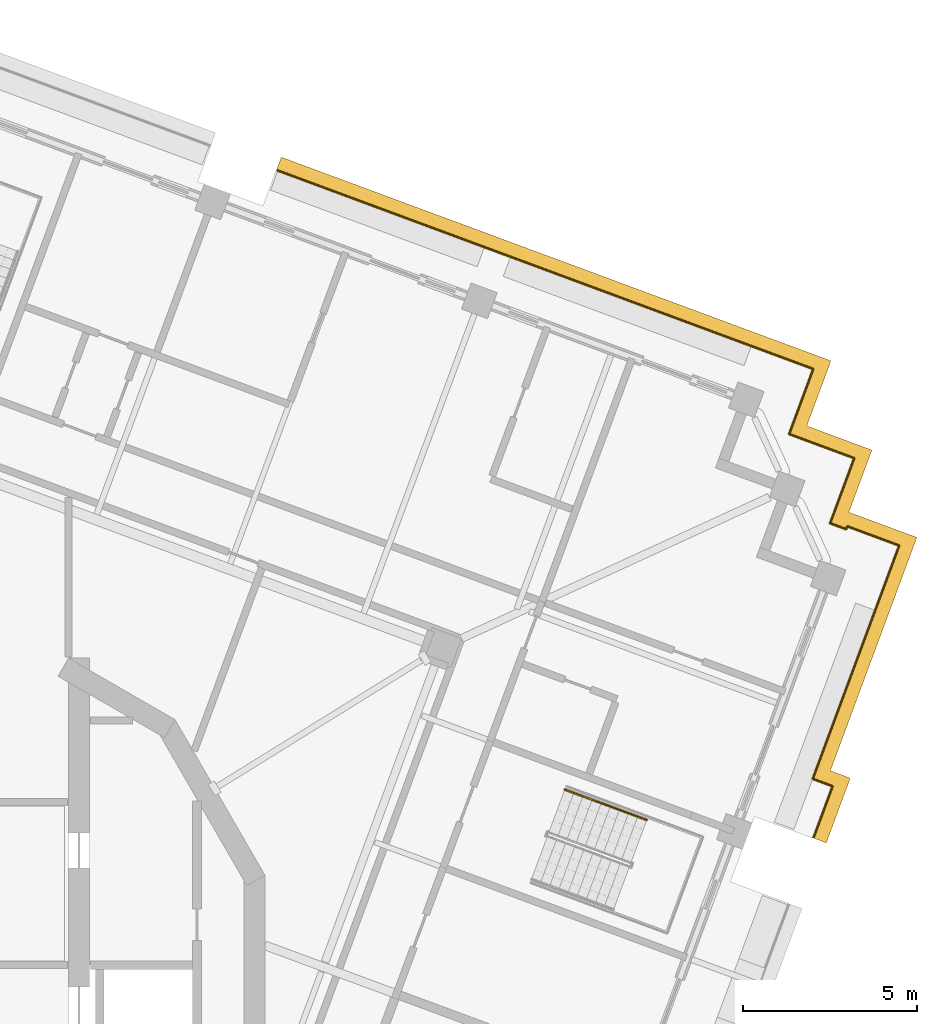
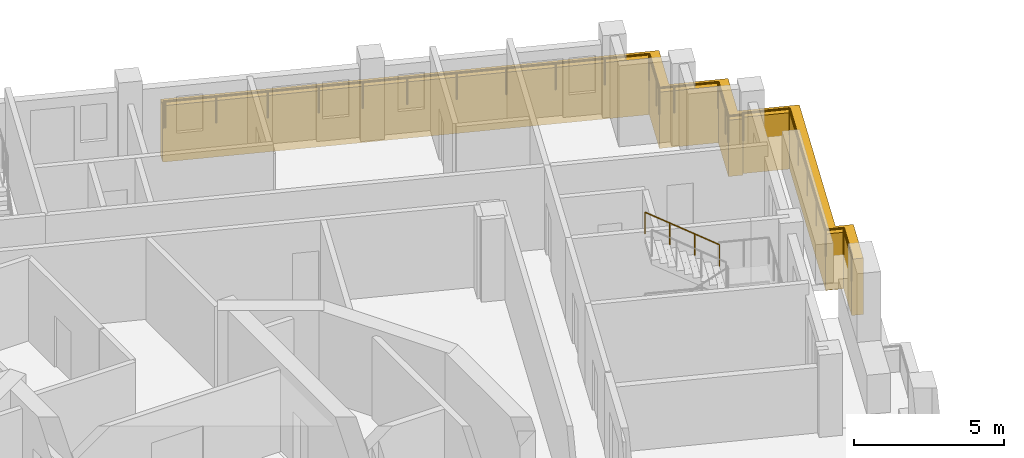
# One storey, part 18 of 19: 3 railings, 1 covering.
"""IFC4 building model written with IfcOpenShell, lengths in metres."""

from ifc_helpers import new_model, si_unit, direction, frame, origin, origin_2d, place, context, subcontext, project, spatial, polyline, circle, outline, extrude, material, type_object, element, save


model = new_model("IFC4")

# Units and contexts
model_context = context("Model", 3, precision=1e-05, world=origin(), true_north=direction((0.0, 1.0)))
body_context = subcontext(model_context, "Body", "Model", "MODEL_VIEW")
ifc_project = project(units=[si_unit("LENGTHUNIT", "METRE"), si_unit("AREAUNIT", "SQUARE_METRE"), si_unit("VOLUMEUNIT", "CUBIC_METRE"), si_unit("PLANEANGLEUNIT", "RADIAN"), si_unit("MASSUNIT", "GRAM", prefix="KILO")], contexts=[model_context])

# Site, building, storey
site_placement = place(None, origin())
site = spatial("IfcSite", under=ifc_project, at=site_placement, CompositionType="ELEMENT")
building_placement = place(site_placement, origin())
building = spatial("IfcBuilding", under=site, at=building_placement, Name="Cantera Rosa Tower", CompositionType="ELEMENT")
storey_placement = place(building_placement, frame((0.0, 0.0, 327.699951171875)))
storey = spatial("IfcBuildingStorey", under=building, at=storey_placement, Name="L73", CompositionType="ELEMENT", Elevation=327.699951171875)

# Railings
ifc_material_1 = material(Name="Stainless steel and laminated glass", Category="steel")
railing_type_1 = type_object("IfcRailingType", Name="GUARD 1100", PredefinedType="BALUSTRADE", material=ifc_material_1)
railing_1_placement = place(storey_placement, frame((26.113525390625, 13.198486328125, 0.0)))
element("IfcRailing", 1, at=railing_1_placement, inside=storey, type_object=railing_type_1, Name="GUARD L73-7", PredefinedType="BALUSTRADE", context=body_context, shape_type="SweptSolid", body=[
    extrude(circle(Radius=0.030029296875, at=origin_2d()), frame((0.0, 0.0, 1.070068359375), z_axis=(-0.347696042931, -0.937607306781, 0.0), x_axis=(0.937607306781, -0.347696042931, 0.0)), (0.0, 0.0, 1.0), 0.5),
    extrude(circle(Radius=0.030029296875, at=origin_2d()), frame((-0.173828125, -0.46875, 1.070068359375), z_axis=(0.937607306781, -0.347696042931, 0.0), x_axis=(0.347696042931, 0.937607306781, 0.0)), (0.0, 0.0, 1.0), 0.5),
    extrude(circle(Radius=0.030029296875, at=origin_2d()), frame((0.294921875, -0.642578125, 1.070068359375), z_axis=(0.348733712021, 0.937221851058, 0.0), x_axis=(-0.937221851058, 0.348733712021, 0.0)), (0.0, 0.0, 1.0), 0.089599609375),
    extrude(circle(Radius=0.030029296875, at=origin_2d()), frame((0.326171875, -0.55859375, 1.070068359375), z_axis=(0.937704286129, -0.347434413632, 0.0), x_axis=(0.347434413632, 0.937704286129, 0.0)), (0.0, 0.0, 1.0), 1.589599609375),
    extrude(circle(Radius=0.030029296875, at=origin_2d()), frame((1.816650390625, -1.11083984375, 1.070068359375), z_axis=(-0.347478495795, -0.937687951805, 0.0), x_axis=(0.937687951805, -0.347478495795, 0.0)), (0.0, 0.0, 1.0), 7.16943359375),
    extrude(circle(Radius=0.030029296875, at=origin_2d()), frame((-0.674560546875, -7.83349609375, 1.070068359375), z_axis=(0.937734294908, -0.347353411029, 0.0), x_axis=(0.347353411029, 0.937734294908, 0.0)), (0.0, 0.0, 1.0), 0.61083984375),
    extrude(circle(Radius=0.030029296875, at=origin_2d()), frame((-0.101806640625, -8.045654296875, 1.070068359375), z_axis=(-0.347491582396, -0.937683102207, 0.0), x_axis=(0.937683102207, -0.347491582396, 0.0)), (0.0, 0.0, 1.0), 1.5703125),
    extrude(circle(Radius=0.02490234375, at=origin_2d()), origin(), (0.0, 0.0, 1.0), 1.0400390625),
    extrude(circle(Radius=0.02490234375, at=origin_2d()), frame((-0.173828125, -0.46875, 0.0)), (0.0, 0.0, 1.0), 1.0400390625),
    extrude(circle(Radius=0.02490234375, at=origin_2d()), frame((0.294921875, -0.642578125, 0.0)), (0.0, 0.0, 1.0), 1.0400390625),
    extrude(circle(Radius=0.02490234375, at=origin_2d()), frame((0.326171875, -0.55859375, 0.0)), (0.0, 0.0, 1.0), 1.0400390625),
    extrude(circle(Radius=0.02490234375, at=origin_2d()), frame((1.816650390625, -1.11083984375, 0.0)), (0.0, 0.0, 1.0), 1.0400390625),
    extrude(circle(Radius=0.02490234375, at=origin_2d()), frame((1.19384765625, -2.79150390625, 0.0)), (0.0, 0.0, 1.0), 1.0400390625),
    extrude(circle(Radius=0.02490234375, at=origin_2d()), frame((0.571044921875, -4.47216796875, 0.0)), (0.0, 0.0, 1.0), 1.0400390625),
    extrude(circle(Radius=0.02490234375, at=origin_2d()), frame((-0.0517578125, -6.15283203125, 0.0)), (0.0, 0.0, 1.0), 1.0400390625),
    extrude(circle(Radius=0.02490234375, at=origin_2d()), frame((-0.674560546875, -7.83349609375, 0.0)), (0.0, 0.0, 1.0), 1.0400390625),
    extrude(circle(Radius=0.02490234375, at=origin_2d()), frame((-0.101806640625, -8.045654296875, 0.0)), (0.0, 0.0, 1.0), 1.0400390625),
    extrude(circle(Radius=0.02490234375, at=origin_2d()), frame((-0.6474609375, -9.51806640625, 0.0)), (0.0, 0.0, 1.0), 1.0400390625),
])
railing_2_placement = place(storey_placement, frame((10.010498046875, 22.8984375, 0.0)))
element("IfcRailing", 2, at=railing_2_placement, inside=storey, type_object=railing_type_1, Name="GUARD L73-8", PredefinedType="BALUSTRADE", context=body_context, shape_type="SweptSolid", body=[
    extrude(circle(Radius=0.030029296875, at=origin_2d()), frame((0.0, 0.0, 1.070068359375), z_axis=(0.937327749542, -0.348448977525, 0.0), x_axis=(0.348448977525, 0.937327749542, 0.0)), (0.0, 0.0, 1.0), 0.070068359375),
    extrude(circle(Radius=0.030029296875, at=origin_2d()), frame((0.065673828125, -0.0244140625, 1.070068359375), z_axis=(0.937688147358, -0.347477968085, 0.0), x_axis=(0.347477968085, 0.937688147358, 0.0)), (0.0, 0.0, 1.0), 5.199951171875),
    extrude(circle(Radius=0.030029296875, at=origin_2d()), frame((4.941650390625, -1.831298828125, 1.070068359375), z_axis=(0.937680024402, -0.347499887537, 0.0), x_axis=(0.347499887537, 0.937680024402, 0.0)), (0.0, 0.0, 1.0), 3.0),
    extrude(circle(Radius=0.030029296875, at=origin_2d()), frame((7.754638671875, -2.873779296875, 1.070068359375), z_axis=(0.937686328856, -0.347482875373, 0.0), x_axis=(0.347482875373, 0.937686328856, 0.0)), (0.0, 0.0, 1.0), 6.699951171875),
    extrude(circle(Radius=0.030029296875, at=origin_2d()), frame((14.037109375, -5.201904296875, 1.070068359375), z_axis=(0.93769967459, -0.347446859641, 0.0), x_axis=(0.347446859641, 0.93769967459, 0.0)), (0.0, 0.0, 1.0), 1.500244140625),
    extrude(circle(Radius=0.030029296875, at=origin_2d()), frame((15.44384765625, -5.72314453125, 1.070068359375), z_axis=(-0.347499887537, -0.937680024402, 0.0), x_axis=(0.937680024402, -0.347499887537, 0.0)), (0.0, 0.0, 1.0), 1.5),
    extrude(circle(Radius=0.030029296875, at=origin_2d()), frame((14.922607421875, -7.129638671875, 1.070068359375), z_axis=(-0.347696042931, -0.937607306781, 0.0), x_axis=(0.937607306781, -0.347696042931, 0.0)), (0.0, 0.0, 1.0), 0.5),
    extrude(circle(Radius=0.030029296875, at=origin_2d()), frame((14.748779296875, -7.598388671875, 1.070068359375), z_axis=(0.937607306781, -0.347696042931, 0.0), x_axis=(0.347696042931, 0.937607306781, 0.0)), (0.0, 0.0, 1.0), 0.5),
    extrude(circle(Radius=0.030029296875, at=origin_2d()), frame((15.217529296875, -7.772216796875, 1.070068359375), z_axis=(0.93769967459, -0.347446859641, 0.0), x_axis=(0.347446859641, 0.93769967459, 0.0)), (0.0, 0.0, 1.0), 1.500244140625),
    extrude(circle(Radius=0.030029296875, at=origin_2d()), frame((16.624267578125, -8.29345703125, 1.070068359375), z_axis=(-0.347499887537, -0.937680024402, 0.0), x_axis=(0.937680024402, -0.347499887537, 0.0)), (0.0, 0.0, 1.0), 1.5),
    extrude(circle(Radius=0.02490234375, at=origin_2d()), origin(), (0.0, 0.0, 1.0), 1.0400390625),
    extrude(circle(Radius=0.02490234375, at=origin_2d()), frame((0.065673828125, -0.0244140625, 0.0)), (0.0, 0.0, 1.0), 1.0400390625),
    extrude(circle(Radius=0.02490234375, at=origin_2d()), frame((1.69091796875, -0.626708984375, 0.0)), (0.0, 0.0, 1.0), 1.0400390625),
    extrude(circle(Radius=0.02490234375, at=origin_2d()), frame((3.31640625, -1.22900390625, 0.0)), (0.0, 0.0, 1.0), 1.0400390625),
    extrude(circle(Radius=0.02490234375, at=origin_2d()), frame((4.941650390625, -1.831298828125, 0.0)), (0.0, 0.0, 1.0), 1.0400390625),
    extrude(circle(Radius=0.02490234375, at=origin_2d()), frame((6.34814453125, -2.3525390625, 0.0)), (0.0, 0.0, 1.0), 1.0400390625),
    extrude(circle(Radius=0.02490234375, at=origin_2d()), frame((7.754638671875, -2.873779296875, 0.0)), (0.0, 0.0, 1.0), 1.0400390625),
    extrude(circle(Radius=0.02490234375, at=origin_2d()), frame((9.3251953125, -3.455810546875, 0.0)), (0.0, 0.0, 1.0), 1.0400390625),
    extrude(circle(Radius=0.02490234375, at=origin_2d()), frame((10.89599609375, -4.037841796875, 0.0)), (0.0, 0.0, 1.0), 1.0400390625),
    extrude(circle(Radius=0.02490234375, at=origin_2d()), frame((12.466552734375, -4.619873046875, 0.0)), (0.0, 0.0, 1.0), 1.0400390625),
    extrude(circle(Radius=0.02490234375, at=origin_2d()), frame((14.037109375, -5.201904296875, 0.0)), (0.0, 0.0, 1.0), 1.0400390625),
    extrude(circle(Radius=0.02490234375, at=origin_2d()), frame((15.44384765625, -5.72314453125, 0.0)), (0.0, 0.0, 1.0), 1.0400390625),
    extrude(circle(Radius=0.02490234375, at=origin_2d()), frame((14.922607421875, -7.129638671875, 0.0)), (0.0, 0.0, 1.0), 1.0400390625),
    extrude(circle(Radius=0.02490234375, at=origin_2d()), frame((14.748779296875, -7.598388671875, 0.0)), (0.0, 0.0, 1.0), 1.0400390625),
    extrude(circle(Radius=0.02490234375, at=origin_2d()), frame((15.217529296875, -7.772216796875, 0.0)), (0.0, 0.0, 1.0), 1.0400390625),
    extrude(circle(Radius=0.02490234375, at=origin_2d()), frame((16.624267578125, -8.29345703125, 0.0)), (0.0, 0.0, 1.0), 1.0400390625),
    extrude(circle(Radius=0.02490234375, at=origin_2d()), frame((16.10302734375, -9.699951171875, 0.0)), (0.0, 0.0, 1.0), 1.0400390625),
])
ifc_material_2 = material(Name="Steel S355J2 (EN 10025-2)", Category="steel")
railing_type_2 = type_object("IfcRailingType", Name="STAIR HANDRAIL 900", PredefinedType="HANDRAIL", material=ifc_material_2)
railing_3_placement = place(storey_placement, frame((20.660400390625, 4.181396484375, 1.97998046875)))
element("IfcRailing", 3, at=railing_3_placement, inside=storey, type_object=railing_type_2, Name="L73 ST-61 stair handrail 2", PredefinedType="HANDRAIL", context=body_context, shape_type="SweptSolid", body=[
    extrude(circle(Radius=0.02392578125, at=origin_2d()), frame((0.0, 0.0, 0.8759765625), z_axis=(-0.788747577403, 0.292306804437, 0.540771662738), x_axis=(-0.347500508527, -0.937679794265, 0.0)), (0.0, 0.0, 1.0), 2.995849609375),
    extrude(circle(Radius=0.02099609375, at=origin_2d()), origin(), (0.0, 0.0, 1.0), 0.851806640625),
    extrude(circle(Radius=0.02099609375, at=origin_2d()), frame((-0.78759765625, 0.2919921875, 0.5400390625)), (0.0, 0.0, 1.0), 0.851806640625),
    extrude(circle(Radius=0.02099609375, at=origin_2d()), frame((-1.575439453125, 0.583740234375, 1.080078125)), (0.0, 0.0, 1.0), 0.851806640625),
    extrude(circle(Radius=0.02099609375, at=origin_2d()), frame((-2.363037109375, 0.875732421875, 1.6201171875)), (0.0, 0.0, 1.0), 0.851806640625),
])

# Covering
ifc_material_3 = material(Name="Cantera stone", Category="masonry")
covering_type = type_object("IfcCoveringType", Name="TRAY FASCIA 400", PredefinedType="CLADDING", material=ifc_material_3)
covering_placement = place(storey_placement, frame((0.0, 0.0, -1.39990234375)))
element("IfcCovering", 4, at=covering_placement, inside=storey, type_object=covering_type, Name="TRAY FASCIA L73-04", PredefinedType="CLADDING", context=body_context, shape_type="SweptSolid", body=[
    extrude(outline(polyline([(10.215087890625, 23.2490234375), (15.091064453125, 21.442138671875), (17.904296875, 20.39990234375), (24.186767578125, 18.07177734375), (25.96826171875, 17.411376953125), (25.30810546875, 15.6298828125), (25.2734375, 15.5361328125), (25.3671875, 15.501220703125), (27.148681640625, 14.841064453125), (26.488525390625, 13.0595703125), (26.48486328125, 13.0498046875), (28.4443359375, 12.32373046875), (25.953125, 5.60107421875), (26.525634765625, 5.388916015625), (25.834228515625, 3.522705078125), (25.458984375, 3.66162109375), (26.01171875, 5.15283203125), (25.43896484375, 5.364990234375), (27.93017578125, 12.087646484375), (26.439697265625, 12.639892578125), (26.408447265625, 12.555908203125), (25.939697265625, 12.729736328125), (26.113525390625, 13.198486328125), (26.634765625, 14.60498046875), (25.22802734375, 15.126220703125), (24.75927734375, 15.300048828125), (24.93310546875, 15.768798828125), (25.454345703125, 17.17529296875), (24.047607421875, 17.696533203125), (17.76513671875, 20.024658203125), (14.9521484375, 21.067138671875), (10.076171875, 22.8740234375), (9.99169921875, 22.9052734375), (10.130859375, 23.280517578125), (10.215087890625, 23.2490234375)])), origin(), (0.0, 0.0, 1.0), 2.300048828125),
])

save(model, "model.ifc")
